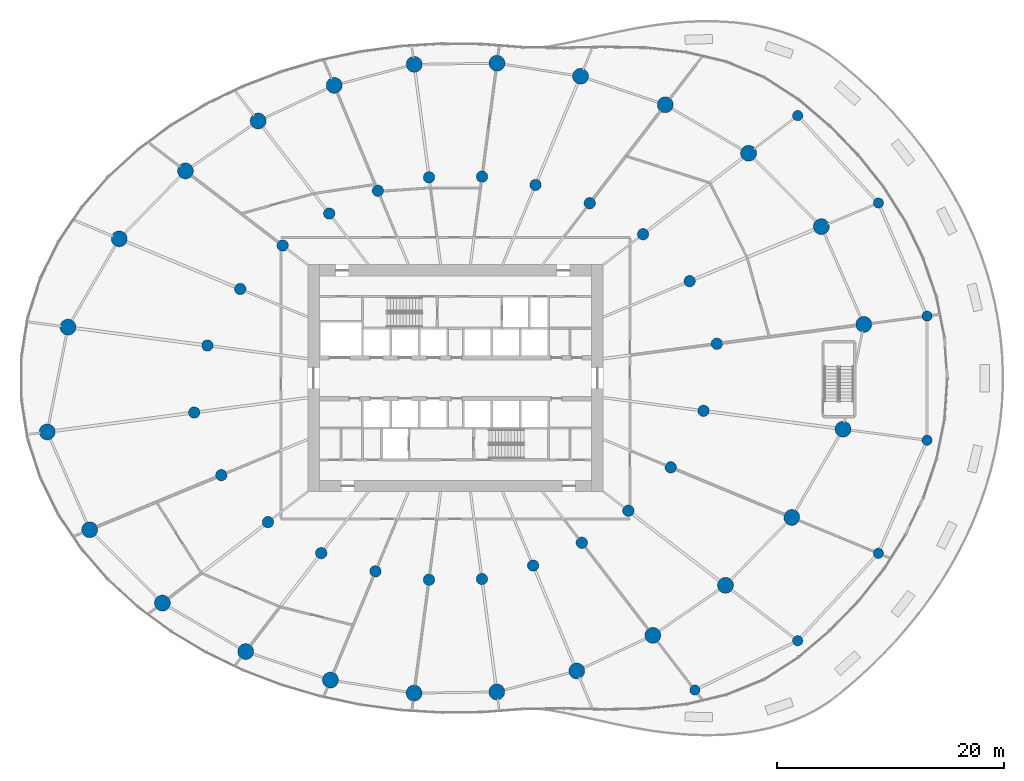
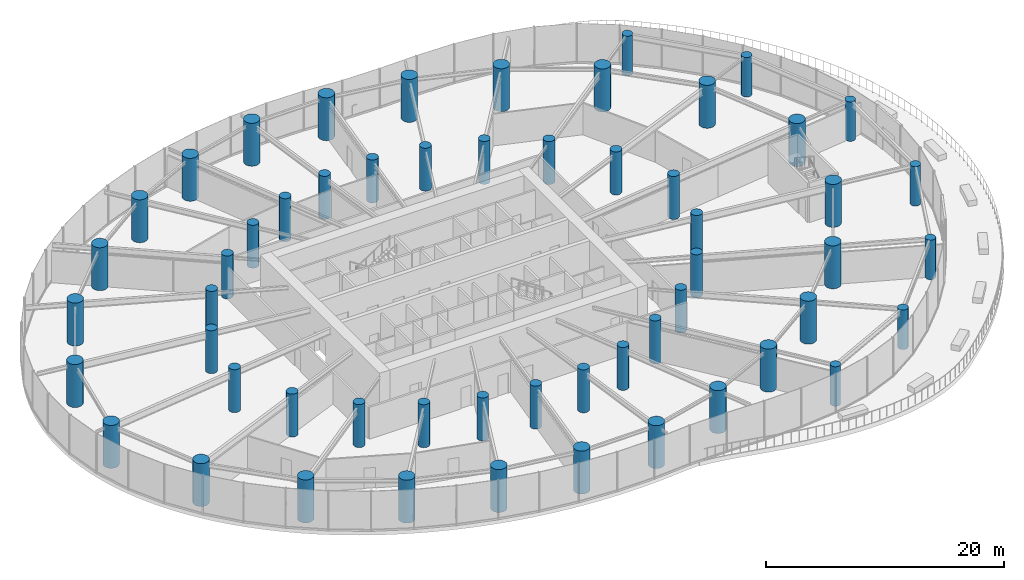
# One storey, part 1 of 19: 55 columns.
"""IFC4 building model written with IfcOpenShell, lengths in metres."""

import ifcopenshell
import ifcopenshell.guid

model = None  # the IFC model being written
_history = None  # IfcOwnerHistory: only IFC2X3 demands one
_inside = {}  # id of a spatial element -> (the spatial element, [elements in it])
_under = {}  # id of a project, library or spatial element -> (it, [spatial elements below it])
_declared = {}  # id of a project -> (the project, [libraries it declares])
_typed = {}  # id of a type object -> (the type object, [elements of that type])
_made_of = {}  # id of a material, layer set ... -> (it, [elements and type objects made of it])


def new_model(schema):
    """Start an empty IFC model of exactly this schema.

    Asked for "IFC4X3", IfcOpenShell would pick the latest addendum, in which some entities
    have other attributes; the version numbers below select the first issue.
    IFC2X3 requires an IfcOwnerHistory on every rooted entity: one is made here for all.
    """
    global model, _history
    if schema == "IFC4X3":
        model = ifcopenshell.file(schema_version=(4, 3, 0, 0))
    else:
        model = ifcopenshell.file(schema=schema)
    _inside.clear()
    _under.clear()
    _declared.clear()
    _typed.clear()
    _made_of.clear()
    _history = None
    if model.schema == "IFC2X3":
        org = make("IfcOrganization", Name="unknown")
        user = make(
            "IfcPersonAndOrganization",
            ThePerson=make("IfcPerson", FamilyName="unknown"),
            TheOrganization=org,
        )
        app = make(
            "IfcApplication",
            ApplicationDeveloper=org,
            Version="unknown",
            ApplicationFullName="unknown",
            ApplicationIdentifier="unknown",
        )
        _history = make(
            "IfcOwnerHistory",
            OwningUser=user,
            OwningApplication=app,
            ChangeAction="ADDED",
            CreationDate=0,
        )
    return model


def make(cls, **values):
    """One entity of the class cls with the attributes given. An attribute that is None is left unset."""
    return model.create_entity(
        cls, **{name: value for name, value in values.items() if value is not None}
    )


def rooted(cls, **values):
    """An entity with a GlobalId (a new one), such as an element, a storey or a relation."""
    return make(cls, GlobalId=ifcopenshell.guid.new(), OwnerHistory=_history, **values)


def si_unit(unit_type, name, prefix=None):
    """IfcSIUnit, for example si_unit("LENGTHUNIT", "METRE", prefix="MILLI")."""
    return make("IfcSIUnit", UnitType=unit_type, Prefix=prefix, Name=name)


def assignment(units):
    """IfcUnitAssignment: the units of a project."""
    return None if units is None else make("IfcUnitAssignment", Units=units)


def point(xyz):
    """IfcCartesianPoint."""
    return None if xyz is None else make("IfcCartesianPoint", Coordinates=xyz)


def direction(xyz):
    """IfcDirection."""
    return None if xyz is None else make("IfcDirection", DirectionRatios=xyz)


def frame(location, z_axis=None, x_axis=None):
    """IfcAxis2Placement3D, a coordinate frame: its origin and axes. An axis left out is left unset."""
    return make(
        "IfcAxis2Placement3D",
        Location=point(location),
        Axis=direction(z_axis),
        RefDirection=direction(x_axis),
    )


def frame_2d(location, x_axis=None):
    """IfcAxis2Placement2D, a coordinate frame in the plane: its origin and x axis."""
    return make(
        "IfcAxis2Placement2D", Location=point(location), RefDirection=direction(x_axis)
    )


def origin():
    """The frame at (0, 0, 0) with its axes left unset."""
    return frame((0.0, 0.0, 0.0))


def origin_2d():
    """The frame at (0, 0) in the plane with its x axis left unset."""
    return frame_2d((0.0, 0.0))


def place(relative_to, where):
    """IfcLocalPlacement: puts the frame where relative to a parent placement (None: the world)."""
    return make(
        "IfcLocalPlacement", PlacementRelTo=relative_to, RelativePlacement=where
    )


def context(
    kind, dimensions, precision=None, world=None, true_north=None, identifier=None
):
    """IfcGeometricRepresentationContext, for example the 3D "Model" context."""
    return make(
        "IfcGeometricRepresentationContext",
        ContextIdentifier=identifier,
        ContextType=kind,
        CoordinateSpaceDimension=dimensions,
        Precision=precision,
        WorldCoordinateSystem=world,
        TrueNorth=true_north,
    )


def subcontext(parent, identifier, kind, view, scale=None):
    """IfcGeometricRepresentationSubContext, for example "Body" below "Model"."""
    return make(
        "IfcGeometricRepresentationSubContext",
        ContextIdentifier=identifier,
        ContextType=kind,
        ParentContext=parent,
        TargetScale=scale,
        TargetView=view,
    )


def project(units=None, contexts=None):
    """IfcProject with its units and contexts."""
    return rooted(
        "IfcProject",
        Name="project",
        RepresentationContexts=contexts,
        UnitsInContext=assignment(units),
    )


def spatial(cls, under=None, at=None, **own):
    """A site, building, storey or space (cls), placed at a placement, below another one or the project."""
    s = rooted(cls, ObjectPlacement=at, **own)
    if under is not None:
        _under.setdefault(under.id(), (under, []))[1].append(s)
    return s


def profile(cls, at=None, kind="AREA", **sizes):
    """A parametric profile (cls). Its sizes go by their IFC names, for example OverallWidth=200.0."""
    return make(cls, ProfileType=kind, Position=at, **sizes)


def circle(**sizes):
    """IfcCircleProfileDef."""
    return profile("IfcCircleProfileDef", **sizes)


def extrude(swept, where, along, depth):
    """IfcExtrudedAreaSolid: the profile swept, set in the frame where, extruded along a direction by depth."""
    return make(
        "IfcExtrudedAreaSolid",
        SweptArea=swept,
        Position=where,
        ExtrudedDirection=direction(along),
        Depth=depth,
    )


def shape(context_of_items, identifier, shape_type, items):
    """IfcShapeRepresentation: the items that make up one representation, for example the "Body"."""
    return make(
        "IfcShapeRepresentation",
        ContextOfItems=context_of_items,
        RepresentationIdentifier=identifier,
        RepresentationType=shape_type,
        Items=items,
    )


def source(mapping_origin, context_of_items, identifier, shape_type, items):
    """IfcRepresentationMap: a shape defined once, which mapped items show again and again."""
    return make(
        "IfcRepresentationMap",
        MappingOrigin=mapping_origin,
        MappedRepresentation=shape(context_of_items, identifier, shape_type, items),
    )


def transform(
    local_origin,
    x_axis=None,
    y_axis=None,
    z_axis=None,
    scale=None,
    scale2=None,
    scale3=None,
    uniform=True,
):
    """IfcCartesianTransformationOperator3D, or its non-uniform kind. x_axis, y_axis, z_axis: its Axis1, 2, 3."""
    if uniform:
        return make(
            "IfcCartesianTransformationOperator3D",
            Axis1=direction(x_axis),
            Axis2=direction(y_axis),
            LocalOrigin=point(local_origin),
            Scale=scale,
            Axis3=direction(z_axis),
        )
    return make(
        "IfcCartesianTransformationOperator3DnonUniform",
        Axis1=direction(x_axis),
        Axis2=direction(y_axis),
        LocalOrigin=point(local_origin),
        Scale=scale,
        Axis3=direction(z_axis),
        Scale2=scale2,
        Scale3=scale3,
    )


def mapped(mapping_source, mapping_target):
    """IfcMappedItem: shows the shape of a source again, moved by a transform."""
    return make(
        "IfcMappedItem", MappingSource=mapping_source, MappingTarget=mapping_target
    )


def material(Name=None, Category=None):
    """IfcMaterial."""
    return make("IfcMaterial", Name=Name, Category=Category)


def material_profile(
    of_material, cross_section, Name=None, Category=None, Priority=None
):
    """IfcMaterialProfile: a cross section and its material."""
    return make(
        "IfcMaterialProfile",
        Name=Name,
        Material=of_material,
        Profile=cross_section,
        Priority=Priority,
        Category=Category,
    )


def profile_set(profiles, Name=None, composite=None):
    """IfcMaterialProfileSet."""
    return make(
        "IfcMaterialProfileSet",
        Name=Name,
        MaterialProfiles=profiles,
        CompositeProfile=composite,
    )


def made_of(thing, what):
    """Note that an element or type object is made of a material, layer set ...; save() writes the relation."""
    if what is not None:
        _made_of.setdefault(what.id(), (what, []))[1].append(thing)
    return thing


def type_object(cls, material=None, **own):
    """A type object (cls), such as IfcWallType, which elements share."""
    return made_of(rooted(cls, **own), material)


def element(
    cls,
    number,
    at=None,
    inside=None,
    cuts=None,
    type_object=None,
    material=None,
    context=None,
    identifier="Body",
    shape_type=None,
    held_by="IfcProductDefinitionShape",
    body=None,
    shapes=None,
    **own,
):
    """One element of the class cls, such as IfcWall. Its Tag is "e" and its number.

    at: its placement. inside: the storey or other place that contains it. cuts: it is an
    opening in that element (IfcRelVoidsElement). A single representation is given by context,
    identifier, shape_type and body (its items); several are given by shapes. held_by: the class
    of the entity that holds the representations. save() writes the other relations.
    """
    e = rooted(cls, Tag="e%d" % number, ObjectPlacement=at, **own)
    if body is not None:
        shapes = [shape(context, identifier, shape_type, body)]
    if shapes is not None:
        e.Representation = make(held_by, Representations=shapes)
    if inside is not None:
        _inside.setdefault(inside.id(), (inside, []))[1].append(e)
    if cuts is not None:
        rooted(
            "IfcRelVoidsElement", RelatingBuildingElement=cuts, RelatedOpeningElement=e
        )
    if type_object is not None:
        _typed.setdefault(type_object.id(), (type_object, []))[1].append(e)
    return made_of(e, material)


def aggregate(whole, parts):
    """IfcRelAggregates: a whole, such as a stair, and the parts it consists of."""
    return rooted("IfcRelAggregates", RelatingObject=whole, RelatedObjects=parts)


def save(model, path):
    """Write the relations noted so far, then the file.

    IfcRelAggregates (storeys below a building ...), IfcRelContainedInSpatialStructure (elements
    in a storey), IfcRelDefinesByType, IfcRelAssociatesMaterial and IfcRelDeclares: one each for
    every whole, place, type object, material and project.
    """
    for whole, parts in _under.values():
        aggregate(whole, parts)
    for where, things in _inside.values():
        rooted(
            "IfcRelContainedInSpatialStructure",
            RelatedElements=things,
            RelatingStructure=where,
        )
    for kind, things in _typed.values():
        rooted("IfcRelDefinesByType", RelatedObjects=things, RelatingType=kind)
    for what, things in _made_of.values():
        rooted("IfcRelAssociatesMaterial", RelatedObjects=things, RelatingMaterial=what)
    for by, libraries in _declared.values():
        rooted("IfcRelDeclares", RelatingContext=by, RelatedDefinitions=libraries)
    model.write(path)


model = new_model("IFC4")

# Units and contexts
model_context = context("Model", 3, precision=1e-05, world=origin(), true_north=direction((0.0, 1.0)))
body_context = subcontext(model_context, "Body", "Model", "MODEL_VIEW")
ifc_project = project(units=[si_unit("LENGTHUNIT", "METRE"), si_unit("AREAUNIT", "SQUARE_METRE"), si_unit("VOLUMEUNIT", "CUBIC_METRE"), si_unit("PLANEANGLEUNIT", "RADIAN"), si_unit("MASSUNIT", "GRAM", prefix="KILO")], contexts=[model_context])

# Site, building, storey
site_placement = place(None, origin())
site = spatial("IfcSite", under=ifc_project, at=site_placement, CompositionType="ELEMENT")
building_placement = place(site_placement, origin())
building = spatial("IfcBuilding", under=site, at=building_placement, Name="Spindrift Exchange Tower", CompositionType="ELEMENT")
storey_placement = place(building_placement, frame((0.0, 0.0, 13.800048828125)))
storey = spatial("IfcBuildingStorey", under=building, at=storey_placement, Name="L03", CompositionType="ELEMENT", Elevation=13.800048828125)

# Columns
ifc_material_1 = material(Name="Concrete 80 MPa", Category="concrete")
ifc_material_profile_1 = material_profile(ifc_material_1, circle(Radius=0.699951171875, at=origin_2d()), Name="RC D1400")
ifc_profile_set_1 = profile_set([ifc_material_profile_1], Name="Concrete 80 MPa")
column_type_1 = type_object("IfcColumnType", Name="RC Perimeter Column D1400 Concrete 80 MPa", PredefinedType="COLUMN", material=ifc_profile_set_1)
shared_shape_1 = source(origin(), body_context, "Body", "SweptSolid", [
    extrude(circle(Radius=0.699951171875, at=origin_2d()), origin(), (0.0, 0.0, 1.0), 4.39990234375),
])
for number, where, z_axis, x_axis, name in (
    (1, (87.990478515625, 52.73828125, 0.0), (0.0, 0.0, 1.0), (1.0, 0.0, 0.0), "Perimeter column P1-01 L03"),
    (2, (84.248779296875, 61.35791015625, 0.0), (0.0, 0.0, 1.0), (1.0, 0.0, 0.0), "Perimeter column P1-02 L03"),
    (3, (77.835693359375, 67.82421875, 0.0), (0.0, 0.0, 1.0), (1.0, 0.0, 0.0), "Perimeter column P1-03 L03"),
    (4, (70.4921875, 72.099609375, 0.0), (0.0, 0.0, 1.0), (1.0, 0.0, 0.0), "Perimeter column P1-04 L03"),
    (5, (63.022705078125, 74.611328125, 0.0), (0.0, 0.0, 1.0), (1.0, 0.0, 0.0), "Perimeter column P1-05 L03"),
    (6, (55.65478515625, 75.761474609375, 0.0), (0.0, 0.0, 1.0), (1.0, 0.0, 0.0), "Perimeter column P1-06 L03"),
    (7, (48.3583984375, 75.661376953125, 0.0), (0.0, 0.0, 1.0), (1.0, 0.0, 0.0), "Perimeter column P1-07 L03"),
    (8, (41.309814453125, 73.80859375, 0.0), (0.0, 0.0, 1.0), (1.0, 0.0, 0.0), "Perimeter column P1-08 L03"),
    (9, (34.603515625, 70.671630859375, 0.0), (0.0, 0.0, 1.0), (1.0, 0.0, 0.0), "Perimeter column P1-09 L03"),
    (10, (28.199462890625, 66.2626953125, 0.0), (0.0, 0.0, 1.0), (1.0, 0.0, 0.0), "Perimeter column P1-10 L03"),
    (11, (22.35546875, 60.279296875, 0.0), (0.0, 0.0, 1.0), (1.0, 0.0, 0.0), "Perimeter column P1-11 L03"),
    (12, (17.8388671875, 52.497314453125, 0.0), (0.0, 0.0, 1.0), (1.0, 0.0, 0.0), "Perimeter column P1-12 L03"),
    (13, (16.009521484375, 43.26171875, 0.0), (0.0, 0.0, 1.0), (1.0, 0.0, 0.0), "Perimeter column P1-13 L03"),
    (14, (19.751220703125, 34.64208984375, 0.0), (0.0, 0.0, 1.0), (1.0, 0.0, 0.0), "Perimeter column P1-14 L03"),
    (15, (26.164306640625, 28.17578125, 0.0), (0.0, 0.0, 1.0), (1.0, 0.0, 0.0), "Perimeter column P1-15 L03"),
    (16, (33.5078125, 23.900390625, 0.0), (0.0, 0.0, 1.0), (1.0, 0.0, 0.0), "Perimeter column P1-16 L03"),
    (17, (40.977294921875, 21.388671875, 0.0), (0.0, 0.0, 1.0), (1.0, 0.0, 0.0), "Perimeter column P1-17 L03"),
    (18, (48.34521484375, 20.238525390625, 0.0), (0.0, 0.0, 1.0), (1.0, 0.0, 0.0), "Perimeter column P1-18 L03"),
    (19, (55.6416015625, 20.338623046875, 0.0), (0.0, 0.0, 1.0), (1.0, 0.0, 0.0), "Perimeter column P1-19 L03"),
    (20, (62.690185546875, 22.19140625, 0.0), (0.0, 0.0, 1.0), (1.0, 0.0, 0.0), "Perimeter column P1-20 L03"),
    (21, (69.396484375, 25.328369140625, 0.0), (0.0, 0.0, 1.0), (1.0, 0.0, 0.0), "Perimeter column P1-21 L03"),
    (22, (75.800537109375, 29.7373046875, 0.0), (0.0, 0.0, 1.0), (1.0, 0.0, 0.0), "Perimeter column P1-22 L03"),
    (23, (81.64453125, 35.720703125, 0.0), (0.0, 0.0, 1.0), (1.0, 0.0, 0.0), "Perimeter column P1-23 L03"),
    (24, (86.1611328125, 43.502685546875, 0.0), (0.0, 0.0, 1.0), (1.0, 0.0, 0.0), "Perimeter column P1-24 L03"),
):
    element("IfcColumn", number, at=place(storey_placement, frame(where, z_axis=z_axis, x_axis=x_axis)), inside=storey, type_object=column_type_1, Name=name, PredefinedType="COLUMN", context=body_context, shape_type="MappedRepresentation", body=[
        mapped(shared_shape_1, transform((0.0, 0.0, 0.0), scale=1.0)),
    ])
ifc_material_profile_2 = material_profile(ifc_material_1, circle(Radius=0.5, at=origin_2d()), Name="RC D1000")
ifc_profile_set_2 = profile_set([ifc_material_profile_2], Name="Concrete 80 MPa")
column_type_2 = type_object("IfcColumnType", Name="RC Inner Column D1000 Concrete 80 MPa", PredefinedType="COLUMN", material=ifc_profile_set_2)
shared_shape_2 = source(origin(), body_context, "Body", "SweptSolid", [
    extrude(circle(Radius=0.5, at=origin_2d()), origin(), (0.0, 0.0, 1.0), 4.39990234375),
])
for number, where, z_axis, x_axis, name in (
    (25, (75.033935546875, 51.032470703125, 0.0), (0.0, 0.0, 1.0), (1.0, 0.0, 0.0), "Inner column Q1-01 L03"),
    (26, (72.639404296875, 56.549072265625, 0.0), (0.0, 0.0, 1.0), (1.0, 0.0, 0.0), "Inner column Q1-02 L03"),
    (27, (68.534912109375, 60.6875, 0.0), (0.0, 0.0, 1.0), (1.0, 0.0, 0.0), "Inner column Q1-03 L03"),
    (28, (63.835205078125, 63.423828125, 0.0), (0.0, 0.0, 1.0), (1.0, 0.0, 0.0), "Inner column Q1-04 L03"),
    (29, (59.0546875, 65.03125, 0.0), (0.0, 0.0, 1.0), (1.0, 0.0, 0.0), "Inner column Q1-05 L03"),
    (30, (54.339111328125, 65.767333984375, 0.0), (0.0, 0.0, 1.0), (1.0, 0.0, 0.0), "Inner column Q1-06 L03"),
    (31, (49.669189453125, 65.703125, 0.0), (0.0, 0.0, 1.0), (1.0, 0.0, 0.0), "Inner column Q1-07 L03"),
    (32, (45.158203125, 64.517578125, 0.0), (0.0, 0.0, 1.0), (1.0, 0.0, 0.0), "Inner column Q1-08 L03"),
    (33, (40.8662109375, 62.510009765625, 0.0), (0.0, 0.0, 1.0), (1.0, 0.0, 0.0), "Inner column Q1-09 L03"),
    (34, (36.767578125, 59.688232421875, 0.0), (0.0, 0.0, 1.0), (1.0, 0.0, 0.0), "Inner column Q1-10 L03"),
    (35, (33.027587890625, 55.858642578125, 0.0), (0.0, 0.0, 1.0), (1.0, 0.0, 0.0), "Inner column Q1-11 L03"),
    (36, (30.13671875, 50.87841796875, 0.0), (0.0, 0.0, 1.0), (1.0, 0.0, 0.0), "Inner column Q1-12 L03"),
    (37, (28.966064453125, 44.967529296875, 0.0), (0.0, 0.0, 1.0), (1.0, 0.0, 0.0), "Inner column Q1-13 L03"),
    (38, (31.360595703125, 39.450927734375, 0.0), (0.0, 0.0, 1.0), (1.0, 0.0, 0.0), "Inner column Q1-14 L03"),
    (39, (35.465087890625, 35.3125, 0.0), (0.0, 0.0, 1.0), (1.0, 0.0, 0.0), "Inner column Q1-15 L03"),
    (40, (40.164794921875, 32.576171875, 0.0), (0.0, 0.0, 1.0), (1.0, 0.0, 0.0), "Inner column Q1-16 L03"),
    (41, (44.9453125, 30.96875, 0.0), (0.0, 0.0, 1.0), (1.0, 0.0, 0.0), "Inner column Q1-17 L03"),
    (42, (49.660888671875, 30.232666015625, 0.0), (0.0, 0.0, 1.0), (1.0, 0.0, 0.0), "Inner column Q1-18 L03"),
    (43, (54.330810546875, 30.296875, 0.0), (0.0, 0.0, 1.0), (1.0, 0.0, 0.0), "Inner column Q1-19 L03"),
    (44, (58.841796875, 31.482421875, 0.0), (0.0, 0.0, 1.0), (1.0, 0.0, 0.0), "Inner column Q1-20 L03"),
    (45, (63.1337890625, 33.489990234375, 0.0), (0.0, 0.0, 1.0), (1.0, 0.0, 0.0), "Inner column Q1-21 L03"),
    (46, (67.232421875, 36.311767578125, 0.0), (0.0, 0.0, 1.0), (1.0, 0.0, 0.0), "Inner column Q1-22 L03"),
    (47, (70.972412109375, 40.141357421875, 0.0), (0.0, 0.0, 1.0), (1.0, 0.0, 0.0), "Inner column Q1-23 L03"),
    (48, (73.86328125, 45.12158203125, 0.0), (0.0, 0.0, 1.0), (1.0, 0.0, 0.0), "Inner column Q1-24 L03"),
):
    element("IfcColumn", number, at=place(storey_placement, frame(where, z_axis=z_axis, x_axis=x_axis)), inside=storey, type_object=column_type_2, Name=name, PredefinedType="COLUMN", context=body_context, shape_type="MappedRepresentation", body=[
        mapped(shared_shape_2, transform((0.0, 0.0, 0.0), scale=1.0)),
    ])
ifc_material_2 = material(Name="Concrete 50 MPa", Category="concrete")
ifc_material_profile_3 = material_profile(ifc_material_2, circle(Radius=0.449951171875, at=origin_2d()), Name="RC D900")
ifc_profile_set_3 = profile_set([ifc_material_profile_3], Name="Concrete 50 MPa")
column_type_3 = type_object("IfcColumnType", Name="RC Cascade Column D900 Concrete 50 MPa", PredefinedType="COLUMN", material=ifc_profile_set_3)
shared_shape_3 = source(origin(), body_context, "Body", "SweptSolid", [
    extrude(circle(Radius=0.449951171875, at=origin_2d()), origin(), (0.0, 0.0, 1.0), 4.050048828125),
])
for number, where, z_axis, x_axis, name in (
    (49, (93.565185546875, 53.47216796875, 0.0), (0.0, 0.0, 1.0), (1.0, 0.0, 0.0), "Cascade column G3-01 L03"),
    (50, (89.274658203125, 63.439697265625, 0.0), (0.0, 0.0, 1.0), (1.0, 0.0, 0.0), "Cascade column G3-02 L03"),
    (51, (82.16455078125, 71.14599609375, 0.0), (0.0, 0.0, 1.0), (1.0, 0.0, 0.0), "Cascade column G3-03 L03"),
    (52, (73.099609375, 20.502685546875, 0.0), (0.0, 0.0, 1.0), (1.0, 0.0, 0.0), "Cascade column G3-21 L03"),
    (53, (82.16455078125, 24.85400390625, 0.0), (0.0, 0.0, 1.0), (1.0, 0.0, 0.0), "Cascade column G3-22 L03"),
    (54, (89.274658203125, 32.560302734375, 0.0), (0.0, 0.0, 1.0), (1.0, 0.0, 0.0), "Cascade column G3-23 L03"),
    (55, (93.565185546875, 42.52783203125, 0.0), (0.0, 0.0, 1.0), (1.0, 0.0, 0.0), "Cascade column G3-24 L03"),
):
    element("IfcColumn", number, at=place(storey_placement, frame(where, z_axis=z_axis, x_axis=x_axis)), inside=storey, type_object=column_type_3, Name=name, PredefinedType="COLUMN", context=body_context, shape_type="MappedRepresentation", body=[
        mapped(shared_shape_3, transform((0.0, 0.0, 0.0), scale=1.0)),
    ])

save(model, "model.ifc")
